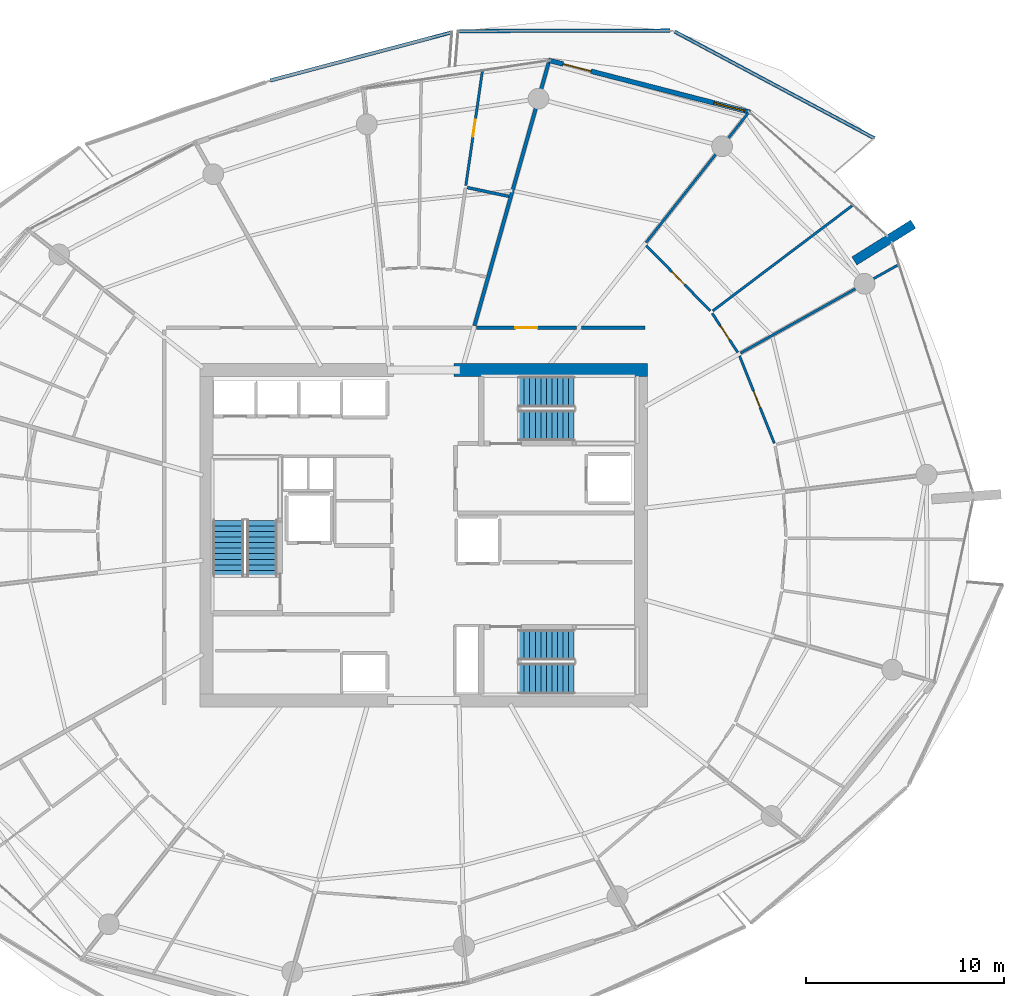
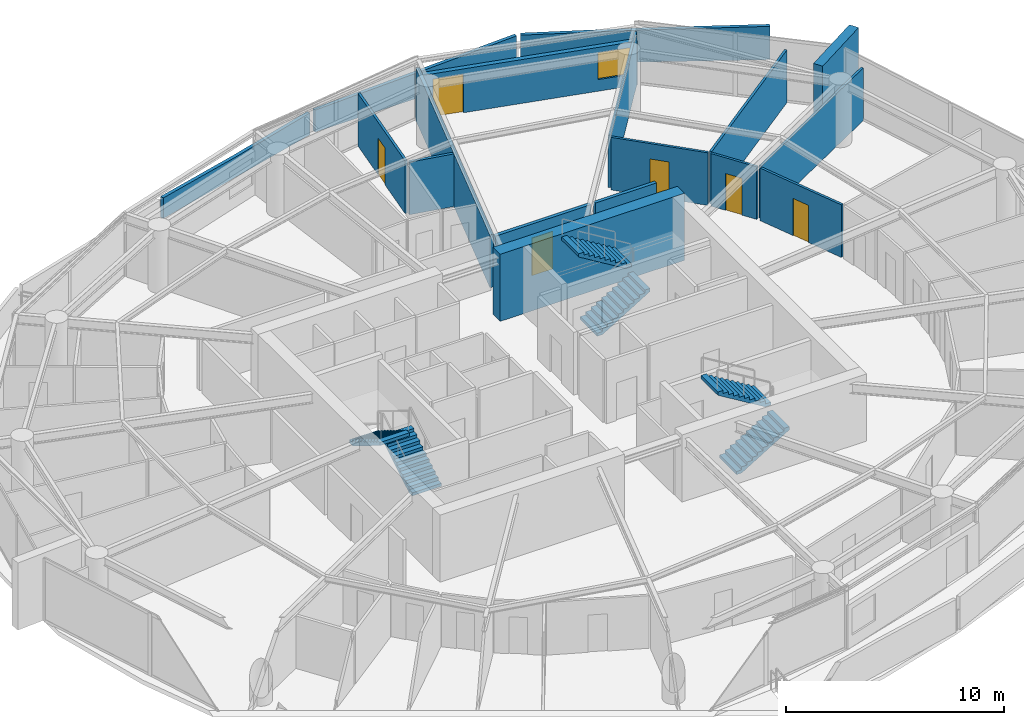
# One storey, part 14 of 19: 17 walls, 6 doors, 6 stair flights, 1 window, 7 openings, 3 elements without a shape of their own.
"""IFC4 building model written with IfcOpenShell, lengths in metres."""

from ifc_helpers import new_model, si_unit, direction, frame, frame_2d, origin, place, context, subcontext, project, spatial, polyline, rectangle, outline, extrude, material, layer, layer_set, type_object, element, fill, aggregate, save


model = new_model("IFC4")

# Units and contexts
model_context = context("Model", 3, precision=1e-05, world=origin(), true_north=direction((0.0, 1.0)))
body_context = subcontext(model_context, "Body", "Model", "MODEL_VIEW")
ifc_project = project(units=[si_unit("LENGTHUNIT", "METRE"), si_unit("AREAUNIT", "SQUARE_METRE"), si_unit("VOLUMEUNIT", "CUBIC_METRE"), si_unit("PLANEANGLEUNIT", "RADIAN"), si_unit("MASSUNIT", "GRAM", prefix="KILO")], contexts=[model_context])

# Site, building, storey
site_placement = place(None, origin())
site = spatial("IfcSite", under=ifc_project, at=site_placement, CompositionType="ELEMENT")
building_placement = place(site_placement, origin())
building = spatial("IfcBuilding", under=site, at=building_placement, Name="Kazma Halo Residences", CompositionType="ELEMENT")
storey_placement = place(building_placement, frame((0.0, 0.0, 199.050048828125)))
storey = spatial("IfcBuildingStorey", under=building, at=storey_placement, Name="L50", CompositionType="ELEMENT", Elevation=199.050048828125)

# Walls
ifc_material_1 = material(Name="White Concrete C50/60 Balustrade", Category="concrete")
ifc_layer_1 = layer(ifc_material_1, 0.179931640625)
ifc_layer_set_1 = layer_set([ifc_layer_1], Name="White Concrete C50/60 Balustrade")
wall_type_1 = type_object("IfcWallType", Name="WL-BAL-WAVE-180", PredefinedType="PARAPET", material=ifc_layer_set_1)
wall_1_placement = place(storey_placement, frame((71.126220703125, 61.997314453125, 0.0), z_axis=(0.0, 0.0, 1.0), x_axis=(-0.882077945567, 0.471103489632, 0.0)))
element("IfcWall", 1, at=wall_1_placement, inside=storey, type_object=wall_type_1, Name="L50 white wave balustrade wall NE.1", PredefinedType="PARAPET", context=body_context, shape_type="SweptSolid", body=[
    extrude(outline(polyline([(0.0, 0.0), (11.409423828125, 0.0), (11.409423828125, 1.6318359375), (5.70458984375, 1.7978515625), (0.0, 1.85986328125), (0.0, 0.0)])), frame((0.0, 0.08984375, 0.0), z_axis=(0.0, -1.0, 0.0), x_axis=(1.0, 0.0, 0.0)), (0.0, 0.0, 1.0), 0.179931640625),
])
wall_2_placement = place(storey_placement, frame((60.83642578125, 67.428466796875, 0.0), z_axis=(0.0, 0.0, 1.0), x_axis=(-0.999995918579, -0.002857065892, 0.0)))
element("IfcWall", 2, at=wall_2_placement, inside=storey, type_object=wall_type_1, Name="L50 white wave balustrade wall NE.2", PredefinedType="PARAPET", context=body_context, shape_type="SweptSolid", body=[
    extrude(outline(polyline([(0.0, 0.0), (10.681396484375, 0.0), (10.681396484375, 1.23291015625), (5.3408203125, 1.41796875), (0.0, 1.6318359375), (0.0, 0.0)])), frame((0.0, 0.08984375, 0.0), z_axis=(0.0, -1.0, 0.0), x_axis=(1.0, 0.0, 0.0)), (0.0, 0.0, 1.0), 0.179931640625),
])
wall_3_placement = place(storey_placement, frame((49.83837890625, 67.337890625, 0.0), z_axis=(0.0, 0.0, 1.0), x_axis=(-0.96653117448, -0.256549193642, 0.0)))
element("IfcWall", 3, at=wall_3_placement, inside=storey, type_object=wall_type_1, Name="L50 white wave balustrade wall NNW.1", PredefinedType="PARAPET", context=body_context, shape_type="SweptSolid", body=[
    extrude(outline(polyline([(0.0, 0.0), (9.47265625, 0.0), (9.47265625, 1.14794921875), (4.736328125, 1.126953125), (0.0, 1.223876953125), (0.0, 0.0)])), frame((0.0, 0.08984375, 0.0), z_axis=(0.0, -1.0, 0.0), x_axis=(1.0, 0.0, 0.0)), (0.0, 0.0, 1.0), 0.179931640625),
])
ifc_material_2 = material(Name="Pale Concrete C60/75", Category="concrete")
ifc_layer_2 = layer(ifc_material_2, 0.47998046875)
ifc_layer_set_2 = layer_set([ifc_layer_2], Name="Pale Concrete C60/75")
wall_type_2 = type_object("IfcWallType", Name="WL-BLADE-480", PredefinedType="SOLIDWALL", material=ifc_layer_set_2)
wall_4_placement = place(storey_placement, frame((70.11376953125, 55.818115234375, 0.0), z_axis=(0.0, 0.0, 1.0), x_axis=(0.848033572426, 0.529942506352, 0.0)))
element("IfcWall", 4, at=wall_4_placement, inside=storey, type_object=wall_type_2, Name="L50 pale concrete structural blade fin wall BW-01", PredefinedType="SOLIDWALL", context=body_context, shape_type="SweptSolid", body=[
    extrude(rectangle(XDim=3.5, YDim=0.47998046875, at=frame_2d((1.75, 0.0))), origin(), (0.0, 0.0, 1.0), 3.75),
])
ifc_material_3 = material(Name="Concrete C60/75", Category="concrete")
ifc_layer_3 = layer(ifc_material_3, 0.64990234375)
ifc_layer_set_3 = layer_set([ifc_layer_3], Name="Concrete C60/75")
wall_type_3 = type_object("IfcWallType", Name="WL-CORE-650", PredefinedType="SHEAR", material=ifc_layer_set_3)
wall_5_placement = place(storey_placement, frame((49.949951171875, 50.324951171875, 0.0), z_axis=(0.0, 0.0, 1.0), x_axis=(1.0, 0.0, 0.0)))
element("IfcWall", 5, at=wall_5_placement, inside=storey, type_object=wall_type_3, Name="L50 central core shear wall NE", PredefinedType="SHEAR", context=body_context, shape_type="SweptSolid", body=[
    extrude(rectangle(XDim=9.75, YDim=0.64990234375, at=frame_2d((4.875, 0.0))), origin(), (0.0, 0.0, 1.0), 3.75),
])
ifc_material_4 = material(Name="Acoustic Twin-Stud Gypsum")
ifc_layer_4 = layer(ifc_material_4, 0.179931640625)
ifc_layer_set_4 = layer_set([ifc_layer_4], Name="Acoustic Twin-Stud Gypsum")
wall_type_4 = type_object("IfcWallType", Name="WL-DEM-180", PredefinedType="PARTITIONING", material=ifc_layer_set_4)
wall_6_placement = place(storey_placement, frame((50.97705078125, 52.555908203125, 0.0), z_axis=(0.0, 0.0, 1.0), x_axis=(0.271443307373, 0.962454430548, 0.0)))
element("IfcWall", 6, at=wall_6_placement, inside=storey, type_object=wall_type_4, Name="L50 apartment demising radial wall 02", PredefinedType="PARTITIONING", context=body_context, shape_type="SweptSolid", body=[
    extrude(rectangle(XDim=13.75927734375, YDim=0.179931640625, at=frame_2d((6.879638671875, 0.0))), origin(), (0.0, 0.0, 1.0), 2.93994140625),
])

# Wall, opening, door
wall_7_placement = place(storey_placement, frame((56.1181640625, 52.449951171875, 0.0), z_axis=(0.0, 0.0, 1.0), x_axis=(-1.0, 0.0, 0.0)))
wall_7 = element("IfcWall", 7, at=wall_7_placement, inside=storey, type_object=wall_type_4, Name="L50 Apartment 4 entrance corridor wall", PredefinedType="PARTITIONING", context=body_context, shape_type="SweptSolid", body=[
    extrude(rectangle(XDim=5.051025390625, YDim=0.179931640625, at=frame_2d((2.525390625, 0.0))), origin(), (0.0, 0.0, 1.0), 2.93994140625),
])
opening_1_placement = place(wall_7_placement, frame((1.975341796875, 0.0, 0.0)))
opening_1 = element("IfcOpeningElement", 8, at=opening_1_placement, cuts=wall_7, Name="Opening DA-1100", PredefinedType="OPENING", context=body_context, shape_type="SweptSolid", body=[
    extrude(rectangle(XDim=1.10009765625, YDim=2.10009765625, at=frame_2d((0.550048828125, 1.050048828125))), frame((0.0, 0.099853515625, 0.0), z_axis=(0.0, -1.0, 0.0), x_axis=(1.0, 0.0, 0.0)), (0.0, 0.0, 1.0), 0.199951171875),
])
ifc_material_5 = material(Name="Acoustic Walnut Fire Leaf")
door_type_1 = type_object("IfcDoorType", Name="DR-FD60-1100", OperationType="NOTDEFINED", PredefinedType="DOOR", material=ifc_material_5)
door_1_placement = place(opening_1_placement, origin())
door_1 = element("IfcDoor", 9, at=door_1_placement, inside=storey, type_object=door_type_1, Name="L50 Apartment 4 entrance fire door", OperationType="SINGLE_SWING_LEFT", OverallHeight=2.10009765625, OverallWidth=1.10009765625, PredefinedType="DOOR", context=body_context, shape_type="SweptSolid", body=[
    extrude(rectangle(XDim=1.10009765625, YDim=2.10009765625, at=frame_2d((0.550048828125, 1.050048828125))), frame((0.0, 0.02490234375, 0.0), z_axis=(0.0, -1.0, 0.0), x_axis=(1.0, 0.0, 0.0)), (0.0, 0.0, 1.0), 0.050048828125),
])
fill(opening_1, door_1)

# Wall
wall_8_placement = place(storey_placement, frame((59.580078125, 52.449951171875, 0.0), z_axis=(0.0, 0.0, 1.0), x_axis=(-1.0, 0.0, 0.0)))
element("IfcWall", 10, at=wall_8_placement, inside=storey, type_object=wall_type_4, Name="L50 Apartment 4 inner wall 0", PredefinedType="PARTITIONING", context=body_context, shape_type="SweptSolid", body=[
    extrude(rectangle(XDim=3.221923828125, YDim=0.179931640625, at=frame_2d((1.61083984375, 0.0))), origin(), (0.0, 0.0, 1.0), 2.93994140625),
])

# Wall, openings, door, window
ifc_material_6 = material(Name="Insulated Pale-Metal Composite Wall")
ifc_layer_5 = layer(ifc_material_6, 0.239990234375)
ifc_layer_set_5 = layer_set([ifc_layer_5], Name="Insulated Pale-Metal Composite Wall")
wall_type_5 = type_object("IfcWallType", Name="WL-EXT-HOST-240", PredefinedType="SOLIDWALL", material=ifc_layer_set_5)
wall_9_placement = place(storey_placement, frame((64.860107421875, 63.31298828125, 0.0), z_axis=(0.0, 0.0, 1.0), x_axis=(-0.968374028006, 0.249502989727, 0.0)))
wall_9 = element("IfcWall", 11, at=wall_9_placement, inside=storey, type_object=wall_type_5, Name="L50 exterior terrace-access wall B02", PredefinedType="SOLIDWALL", context=body_context, shape_type="SweptSolid", body=[
    extrude(rectangle(XDim=10.494384765625, YDim=0.239990234375, at=frame_2d((5.2470703125, 0.0))), origin(), (0.0, 0.0, 1.0), 2.449951171875),
])
opening_2_placement = place(wall_9_placement, frame((8.2744140625, 0.0, 0.0)))
opening_2 = element("IfcOpeningElement", 12, at=opening_2_placement, cuts=wall_9, Name="Opening DTR-1600", PredefinedType="OPENING", context=body_context, shape_type="SweptSolid", body=[
    extrude(rectangle(XDim=1.449951171875, YDim=2.14990234375, at=frame_2d((0.72509765625, 1.074951171875))), frame((0.0, 0.1298828125, 0.0), z_axis=(0.0, -1.0, 0.0), x_axis=(1.0, 0.0, 0.0)), (0.0, 0.0, 1.0), 0.260009765625),
])
opening_3_placement = place(wall_9_placement, frame((0.280029296875, 0.0, 0.64990234375)))
opening_3 = element("IfcOpeningElement", 13, at=opening_3_placement, cuts=wall_9, Name="Opening W-1800", PredefinedType="OPENING", context=body_context, shape_type="SweptSolid", body=[
    extrude(rectangle(XDim=1.60009765625, YDim=1.5, at=frame_2d((0.800048828125, 0.75))), frame((0.0, 0.1298828125, 0.0), z_axis=(0.0, -1.0, 0.0), x_axis=(1.0, 0.0, 0.0)), (0.0, 0.0, 1.0), 0.260009765625),
])
ifc_material_7 = material(Name="Aluminium AW-6063 T6 Double-Glazed Terrace Door", Category="aluminium")
door_type_2 = type_object("IfcDoorType", Name="DR-EXT-TERR-1600", OperationType="NOTDEFINED", PredefinedType="DOOR", material=ifc_material_7)
door_2_placement = place(opening_2_placement, origin())
door_2 = element("IfcDoor", 14, at=door_2_placement, inside=storey, type_object=door_type_2, Name="L50 B02 balcony terrace door", OperationType="DOUBLE_DOOR_SLIDING", OverallHeight=2.14990234375, OverallWidth=1.449951171875, PredefinedType="DOOR", context=body_context, shape_type="SweptSolid", body=[
    extrude(rectangle(XDim=1.449951171875, YDim=2.14990234375, at=frame_2d((0.72509765625, 1.074951171875))), frame((0.0, 0.02490234375, 0.0), z_axis=(0.0, -1.0, 0.0), x_axis=(1.0, 0.0, 0.0)), (0.0, 0.0, 1.0), 0.050048828125),
])
fill(opening_2, door_2)
ifc_material_8 = material(Name="Clear Triple-Silver Low-E Glass in Aluminium AW-6063 T6 Frame", Category="aluminium")
window_type = type_object("IfcWindowType", Name="WIN-RES-1800", PartitioningType="DOUBLE_PANEL_VERTICAL", PredefinedType="WINDOW", material=ifc_material_8)
window_placement = place(opening_3_placement, origin())
window = element("IfcWindow", 15, at=window_placement, inside=storey, type_object=window_type, Name="L50 B02 apartment window", OverallHeight=1.5, OverallWidth=1.60009765625, PartitioningType="SINGLE_PANEL", PredefinedType="WINDOW", context=body_context, shape_type="SweptSolid", body=[
    extrude(rectangle(XDim=1.60009765625, YDim=1.5, at=frame_2d((0.800048828125, 0.75))), frame((0.0, 0.030029296875, 0.0), z_axis=(0.0, -1.0, 0.0), x_axis=(1.0, 0.0, 0.0)), (0.0, 0.0, 1.0), 0.06005859375),
])
fill(opening_3, window)

# Wall, opening, door
ifc_material_9 = material(Name="Gypsum Plasterboard Partition")
ifc_layer_6 = layer(ifc_material_9, 0.125)
ifc_layer_set_6 = layer_set([ifc_layer_6], Name="Gypsum Plasterboard Partition")
wall_type_6 = type_object("IfcWallType", Name="WL-PART-125", PredefinedType="PARTITIONING", material=ifc_layer_set_6)
wall_10_placement = place(storey_placement, frame((50.543701171875, 59.62451171875, 0.0), z_axis=(0.0, 0.0, 1.0), x_axis=(0.142847588942, 0.989744697553, 0.0)))
wall_10 = element("IfcWall", 16, at=wall_10_placement, inside=storey, type_object=wall_type_6, Name="L50 Apartment 1 Household Store Room partition wall", PredefinedType="PARTITIONING", context=body_context, shape_type="SweptSolid", body=[
    extrude(rectangle(XDim=5.822998046875, YDim=0.125, at=frame_2d((2.91162109375, 0.0))), origin(), (0.0, 0.0, 1.0), 2.93994140625),
])
opening_4_placement = place(wall_10_placement, frame((2.486572265625, 0.0, 0.0)))
opening_4 = element("IfcOpeningElement", 17, at=opening_4_placement, cuts=wall_10, Name="Opening DB-900", PredefinedType="OPENING", context=body_context, shape_type="SweptSolid", body=[
    extrude(rectangle(XDim=0.85009765625, YDim=2.06005859375, at=frame_2d((0.425048828125, 1.030029296875))), frame((0.0, 0.072509765625, 0.0), z_axis=(0.0, -1.0, 0.0), x_axis=(1.0, 0.0, 0.0)), (0.0, 0.0, 1.0), 0.14501953125),
])
ifc_material_10 = material(Name="Moisture-Sealed Timber Leaf", Category="wood")
door_type_3 = type_object("IfcDoorType", Name="DR-BTH-900", OperationType="NOTDEFINED", PredefinedType="DOOR", material=ifc_material_10)
door_3_placement = place(opening_4_placement, origin())
door_3 = element("IfcDoor", 18, at=door_3_placement, inside=storey, type_object=door_type_3, Name="L50 Apartment 1 Household Store Room door", OperationType="SINGLE_SWING_RIGHT", OverallHeight=2.06005859375, OverallWidth=0.85009765625, PredefinedType="DOOR", context=body_context, shape_type="SweptSolid", body=[
    extrude(rectangle(XDim=0.85009765625, YDim=2.06005859375, at=frame_2d((0.425048828125, 1.030029296875))), frame((0.0, 0.02490234375, 0.0), z_axis=(0.0, -1.0, 0.0), x_axis=(1.0, 0.0, 0.0)), (0.0, 0.0, 1.0), 0.050048828125),
])
fill(opening_4, door_3)

wall_11_placement = place(storey_placement, frame((66.082275390625, 46.6337890625, 0.0), z_axis=(0.0, 0.0, 1.0), x_axis=(-0.369567399645, 0.929203926552, 0.0)))
wall_11 = element("IfcWall", 19, at=wall_11_placement, inside=storey, type_object=wall_type_6, Name="L50 Apartment 4 Gulf Formal Dining Room hall wall", PredefinedType="PARTITIONING", context=body_context, shape_type="SweptSolid", body=[
    extrude(rectangle(XDim=4.734619140625, YDim=0.125, at=frame_2d((2.3671875, 0.0))), origin(), (0.0, 0.0, 1.0), 2.93994140625),
])
opening_5_placement = place(wall_11_placement, frame((1.917236328125, 0.0, 0.0)))
opening_5 = element("IfcOpeningElement", 20, at=opening_5_placement, cuts=wall_11, Name="Opening DI-950", PredefinedType="OPENING", context=body_context, shape_type="SweptSolid", body=[
    extrude(rectangle(XDim=0.89990234375, YDim=2.080078125, at=frame_2d((0.449951171875, 1.0400390625))), frame((0.0, 0.072509765625, 0.0), z_axis=(0.0, -1.0, 0.0), x_axis=(1.0, 0.0, 0.0)), (0.0, 0.0, 1.0), 0.14501953125),
])
ifc_material_11 = material(Name="Timber Veneer Flush Leaf", Category="wood")
door_type_4 = type_object("IfcDoorType", Name="DR-INT-950", OperationType="NOTDEFINED", PredefinedType="DOOR", material=ifc_material_11)
door_4_placement = place(opening_5_placement, origin())
door_4 = element("IfcDoor", 21, at=door_4_placement, inside=storey, type_object=door_type_4, Name="L50 Apartment 4 Gulf Formal Dining Room door", OperationType="SINGLE_SWING_LEFT", OverallHeight=2.080078125, OverallWidth=0.89990234375, PredefinedType="DOOR", context=body_context, shape_type="SweptSolid", body=[
    extrude(rectangle(XDim=0.89990234375, YDim=2.080078125, at=frame_2d((0.449951171875, 1.0400390625))), frame((0.0, 0.02490234375, 0.0), z_axis=(0.0, -1.0, 0.0), x_axis=(1.0, 0.0, 0.0)), (0.0, 0.0, 1.0), 0.050048828125),
])
fill(opening_5, door_4)

# Walls
wall_12_placement = place(storey_placement, frame((64.3828125, 51.1748046875, 0.0), z_axis=(0.0, 0.0, 1.0), x_axis=(0.872496427588, 0.488620490611, 0.0)))
element("IfcWall", 22, at=wall_12_placement, inside=storey, type_object=wall_type_6, Name="L50 Apartment 4 radial partition 0", PredefinedType="PARTITIONING", context=body_context, shape_type="SweptSolid", body=[
    extrude(rectangle(XDim=9.1181640625, YDim=0.125, at=frame_2d((4.55908203125, 0.0))), origin(), (0.0, 0.0, 1.0), 2.93994140625),
])
wall_13_placement = place(storey_placement, frame((59.624755859375, 56.745849609375, 0.0), z_axis=(0.0, 0.0, 1.0), x_axis=(0.619083134383, 0.785325456561, 0.0)))
element("IfcWall", 23, at=wall_13_placement, inside=storey, type_object=wall_type_6, Name="L50 Apartment 4 living radial partition 0", PredefinedType="PARTITIONING", context=body_context, shape_type="SweptSolid", body=[
    extrude(rectangle(XDim=8.353271484375, YDim=0.125, at=frame_2d((4.1767578125, 0.0))), origin(), (0.0, 0.0, 1.0), 2.93994140625),
])
wall_14_placement = place(storey_placement, frame((62.98095703125, 53.303466796875, 0.0), z_axis=(0.0, 0.0, 1.0), x_axis=(0.798266473747, 0.602304438711, 0.0)))
element("IfcWall", 24, at=wall_14_placement, inside=storey, type_object=wall_type_6, Name="L50 Apartment 4 mid-bay wall 0", PredefinedType="PARTITIONING", context=body_context, shape_type="SweptSolid", body=[
    extrude(rectangle(XDim=8.822021484375, YDim=0.125, at=frame_2d((4.4111328125, 0.0))), origin(), (0.0, 0.0, 1.0), 2.93994140625),
])

# Wall, opening, door
wall_15_placement = place(storey_placement, frame((64.240966796875, 51.209716796875, 0.0), z_axis=(0.0, 0.0, 1.0), x_axis=(-0.546782970229, 0.837274377649, 0.0)))
wall_15 = element("IfcWall", 25, at=wall_15_placement, inside=storey, type_object=wall_type_6, Name="L50 Apartment 4 Primary Dressing Wardrobe hall wall", PredefinedType="PARTITIONING", context=body_context, shape_type="SweptSolid", body=[
    extrude(rectangle(XDim=2.355712890625, YDim=0.125, at=frame_2d((1.177734375, 0.0))), origin(), (0.0, 0.0, 1.0), 2.93994140625),
])
opening_6_placement = place(wall_15_placement, frame((0.7529296875, 0.0, 0.0)))
opening_6 = element("IfcOpeningElement", 26, at=opening_6_placement, cuts=wall_15, Name="Opening DB-900", PredefinedType="OPENING", context=body_context, shape_type="SweptSolid", body=[
    extrude(rectangle(XDim=0.85009765625, YDim=2.06005859375, at=frame_2d((0.425048828125, 1.030029296875))), frame((0.0, 0.072509765625, 0.0), z_axis=(0.0, -1.0, 0.0), x_axis=(1.0, 0.0, 0.0)), (0.0, 0.0, 1.0), 0.14501953125),
])
door_5_placement = place(opening_6_placement, origin())
door_5 = element("IfcDoor", 27, at=door_5_placement, inside=storey, type_object=door_type_3, Name="L50 Apartment 4 Primary Dressing Wardrobe door", OperationType="SINGLE_SWING_LEFT", OverallHeight=2.06005859375, OverallWidth=0.85009765625, PredefinedType="DOOR", context=body_context, shape_type="SweptSolid", body=[
    extrude(rectangle(XDim=0.85009765625, YDim=2.06005859375, at=frame_2d((0.425048828125, 1.030029296875))), frame((0.0, 0.02490234375, 0.0), z_axis=(0.0, -1.0, 0.0), x_axis=(1.0, 0.0, 0.0)), (0.0, 0.0, 1.0), 0.050048828125),
])
fill(opening_6, door_5)

wall_16_placement = place(storey_placement, frame((62.853271484375, 53.306396484375, 0.0), z_axis=(0.0, 0.0, 1.0), x_axis=(-0.699562743434, 0.714571177699, 0.0)))
wall_16 = element("IfcWall", 28, at=wall_16_placement, inside=storey, type_object=wall_type_6, Name="L50 Apartment 4 Secondary Master Bedroom hall wall", PredefinedType="PARTITIONING", context=body_context, shape_type="SweptSolid", body=[
    extrude(rectangle(XDim=4.603515625, YDim=0.125, at=frame_2d((2.3017578125, 0.0))), origin(), (0.0, 0.0, 1.0), 2.93994140625),
])
opening_7_placement = place(wall_16_placement, frame((1.851806640625, 0.0, 0.0)))
opening_7 = element("IfcOpeningElement", 29, at=opening_7_placement, cuts=wall_16, Name="Opening DI-950", PredefinedType="OPENING", context=body_context, shape_type="SweptSolid", body=[
    extrude(rectangle(XDim=0.89990234375, YDim=2.080078125, at=frame_2d((0.449951171875, 1.0400390625))), frame((0.0, 0.072509765625, 0.0), z_axis=(0.0, -1.0, 0.0), x_axis=(1.0, 0.0, 0.0)), (0.0, 0.0, 1.0), 0.14501953125),
])
door_6_placement = place(opening_7_placement, origin())
door_6 = element("IfcDoor", 30, at=door_6_placement, inside=storey, type_object=door_type_4, Name="L50 Apartment 4 Secondary Master Bedroom door", OperationType="SINGLE_SWING_RIGHT", OverallHeight=2.080078125, OverallWidth=0.89990234375, PredefinedType="DOOR", context=body_context, shape_type="SweptSolid", body=[
    extrude(rectangle(XDim=0.89990234375, YDim=2.080078125, at=frame_2d((0.449951171875, 1.0400390625))), frame((0.0, 0.02490234375, 0.0), z_axis=(0.0, -1.0, 0.0), x_axis=(1.0, 0.0, 0.0)), (0.0, 0.0, 1.0), 0.050048828125),
])
fill(opening_7, door_6)

# Wall
ifc_material_12 = material(Name="Moisture-Resistant Gypsum")
ifc_layer_7 = layer(ifc_material_12, 0.14990234375)
ifc_layer_set_7 = layer_set([ifc_layer_7], Name="Moisture-Resistant Gypsum")
wall_type_7 = type_object("IfcWallType", Name="WL-WET-150", PredefinedType="PARTITIONING", material=ifc_layer_set_7)
wall_17_placement = place(storey_placement, frame((52.711181640625, 59.072509765625, 0.0), z_axis=(0.0, 0.0, 1.0), x_axis=(-0.978208139302, 0.207626675075, 0.0)))
element("IfcWall", 31, at=wall_17_placement, inside=storey, type_object=wall_type_7, Name="L50 Apartment 1 Guest Bathroom back wall", PredefinedType="PARTITIONING", context=body_context, shape_type="SweptSolid", body=[
    extrude(rectangle(XDim=2.138916015625, YDim=0.14990234375, at=frame_2d((1.0693359375, 0.0))), origin(), (0.0, 0.0, 1.0), 2.93994140625),
])

# Stair, stair flights
ifc_material_13 = material(Name="Concrete C50/60", Category="concrete")
stair_type = type_object("IfcStairType", Name="STR-RES1", PredefinedType="HALF_TURN_STAIR", material=ifc_material_13)
stair_1_placement = place(storey_placement, origin())
stair_1 = element("IfcStair", 32, at=stair_1_placement, inside=storey, type_object=stair_type, Name="L50 Core exit stair ST-01", PredefinedType="HALF_TURN_STAIR")
stair_flight_type = type_object("IfcStairFlightType", Name="STR-RES1-FLT", PredefinedType="STRAIGHT", material=ifc_material_13)
stair_flight_1_placement = place(storey_placement, frame((40.27490234375, 39.949951171875, 0.0), z_axis=(0.0, 0.0, 1.0), x_axis=(0.0, 1.0, 0.0)))
stair_flight_1 = element("IfcStairFlight", 33, at=stair_flight_1_placement, type_object=stair_flight_type, Name="ST-01 flight 1", NumberOfRisers=11, NumberOfTreads=10, PredefinedType="STRAIGHT", RiserHeight=0.170454545, TreadLength=0.28, context=body_context, shape_type="SweptSolid", body=[
    extrude(outline(polyline([(0.0, 0.0), (0.0, 0.17041015625), (0.280029296875, 0.17041015625), (0.280029296875, 0.3408203125), (0.56005859375, 0.3408203125), (0.56005859375, 0.511474609375), (0.840087890625, 0.511474609375), (0.840087890625, 0.681884765625), (1.1201171875, 0.681884765625), (1.1201171875, 0.852294921875), (1.39990234375, 0.852294921875), (1.39990234375, 1.022705078125), (1.679931640625, 1.022705078125), (1.679931640625, 1.193115234375), (1.9599609375, 1.193115234375), (1.9599609375, 1.363525390625), (2.239990234375, 1.363525390625), (2.239990234375, 1.5341796875), (2.52001953125, 1.5341796875), (2.52001953125, 1.70458984375), (2.800048828125, 1.70458984375), (2.800048828125, 1.875), (2.800048828125, 1.529052734375), (0.288330078125, 0.0), (0.0, 0.0)])), frame((0.0, 0.77490234375, 0.0), z_axis=(0.0, -1.0, 0.0), x_axis=(1.0, 0.0, 0.0)), (0.0, 0.0, 1.0), 1.550048828125),
])
stair_flight_2_placement = place(storey_placement, frame((38.574951171875, 42.75, 1.875), z_axis=(0.0, 0.0, 1.0), x_axis=(0.0, -1.0, 0.0)))
stair_flight_2 = element("IfcStairFlight", 34, at=stair_flight_2_placement, type_object=stair_flight_type, Name="ST-01 flight 2", NumberOfRisers=11, NumberOfTreads=10, PredefinedType="STRAIGHT", RiserHeight=0.170454545, TreadLength=0.28, context=body_context, shape_type="SweptSolid", body=[
    extrude(outline(polyline([(0.0, 0.0), (0.0, 0.17041015625), (0.280029296875, 0.17041015625), (0.280029296875, 0.3408203125), (0.56005859375, 0.3408203125), (0.56005859375, 0.511474609375), (0.840087890625, 0.511474609375), (0.840087890625, 0.681884765625), (1.1201171875, 0.681884765625), (1.1201171875, 0.852294921875), (1.39990234375, 0.852294921875), (1.39990234375, 1.022705078125), (1.679931640625, 1.022705078125), (1.679931640625, 1.193115234375), (1.9599609375, 1.193115234375), (1.9599609375, 1.363525390625), (2.239990234375, 1.363525390625), (2.239990234375, 1.5341796875), (2.52001953125, 1.5341796875), (2.52001953125, 1.70458984375), (2.800048828125, 1.70458984375), (2.800048828125, 1.875), (2.800048828125, 1.529052734375), (0.288330078125, 0.0), (0.0, 0.0)])), frame((0.0, 0.77490234375, 0.0), z_axis=(0.0, -1.0, 0.0), x_axis=(1.0, 0.0, 0.0)), (0.0, 0.0, 1.0), 1.550048828125),
])
aggregate(stair_1, [stair_flight_1, stair_flight_2])

stair_2_placement = place(storey_placement, origin())
stair_2 = element("IfcStair", 35, at=stair_2_placement, inside=storey, type_object=stair_type, Name="L50 Core exit stair ST-02", PredefinedType="HALF_TURN_STAIR")
stair_flight_3_placement = place(storey_placement, frame((53.199951171875, 47.52490234375, 0.0), z_axis=(0.0, 0.0, 1.0), x_axis=(1.0, 0.0, 0.0)))
stair_flight_3 = element("IfcStairFlight", 36, at=stair_flight_3_placement, type_object=stair_flight_type, Name="ST-02 flight 1", NumberOfRisers=11, NumberOfTreads=10, PredefinedType="STRAIGHT", RiserHeight=0.170454545, TreadLength=0.28, context=body_context, shape_type="SweptSolid", body=[
    extrude(outline(polyline([(0.0, 0.0), (0.0, 0.17041015625), (0.280029296875, 0.17041015625), (0.280029296875, 0.3408203125), (0.56005859375, 0.3408203125), (0.56005859375, 0.511474609375), (0.840087890625, 0.511474609375), (0.840087890625, 0.681884765625), (1.1201171875, 0.681884765625), (1.1201171875, 0.852294921875), (1.39990234375, 0.852294921875), (1.39990234375, 1.022705078125), (1.679931640625, 1.022705078125), (1.679931640625, 1.193115234375), (1.9599609375, 1.193115234375), (1.9599609375, 1.363525390625), (2.239990234375, 1.363525390625), (2.239990234375, 1.5341796875), (2.52001953125, 1.5341796875), (2.52001953125, 1.70458984375), (2.800048828125, 1.70458984375), (2.800048828125, 1.875), (2.800048828125, 1.529052734375), (0.288330078125, 0.0), (0.0, 0.0)])), frame((0.0, 0.77490234375, 0.0), z_axis=(0.0, -1.0, 0.0), x_axis=(1.0, 0.0, 0.0)), (0.0, 0.0, 1.0), 1.550048828125),
])
stair_flight_4_placement = place(storey_placement, frame((56.0, 49.22509765625, 1.875), z_axis=(0.0, 0.0, 1.0), x_axis=(-1.0, 0.0, 0.0)))
stair_flight_4 = element("IfcStairFlight", 37, at=stair_flight_4_placement, type_object=stair_flight_type, Name="ST-02 flight 2", NumberOfRisers=11, NumberOfTreads=10, PredefinedType="STRAIGHT", RiserHeight=0.170454545, TreadLength=0.28, context=body_context, shape_type="SweptSolid", body=[
    extrude(outline(polyline([(0.0, 0.0), (0.0, 0.17041015625), (0.280029296875, 0.17041015625), (0.280029296875, 0.3408203125), (0.56005859375, 0.3408203125), (0.56005859375, 0.511474609375), (0.840087890625, 0.511474609375), (0.840087890625, 0.681884765625), (1.1201171875, 0.681884765625), (1.1201171875, 0.852294921875), (1.39990234375, 0.852294921875), (1.39990234375, 1.022705078125), (1.679931640625, 1.022705078125), (1.679931640625, 1.193115234375), (1.9599609375, 1.193115234375), (1.9599609375, 1.363525390625), (2.239990234375, 1.363525390625), (2.239990234375, 1.5341796875), (2.52001953125, 1.5341796875), (2.52001953125, 1.70458984375), (2.800048828125, 1.70458984375), (2.800048828125, 1.875), (2.800048828125, 1.529052734375), (0.288330078125, 0.0), (0.0, 0.0)])), frame((0.0, 0.77490234375, 0.0), z_axis=(0.0, -1.0, 0.0), x_axis=(1.0, 0.0, 0.0)), (0.0, 0.0, 1.0), 1.550048828125),
])
aggregate(stair_2, [stair_flight_3, stair_flight_4])

stair_3_placement = place(storey_placement, origin())
stair_3 = element("IfcStair", 38, at=stair_3_placement, inside=storey, type_object=stair_type, Name="L50 Core exit stair ST-03", PredefinedType="HALF_TURN_STAIR")
stair_flight_5_placement = place(storey_placement, frame((53.199951171875, 34.77490234375, 0.0), z_axis=(0.0, 0.0, 1.0), x_axis=(1.0, 0.0, 0.0)))
stair_flight_5 = element("IfcStairFlight", 39, at=stair_flight_5_placement, type_object=stair_flight_type, Name="ST-03 flight 1", NumberOfRisers=11, NumberOfTreads=10, PredefinedType="STRAIGHT", RiserHeight=0.170454545, TreadLength=0.28, context=body_context, shape_type="SweptSolid", body=[
    extrude(outline(polyline([(0.0, 0.0), (0.0, 0.17041015625), (0.280029296875, 0.17041015625), (0.280029296875, 0.3408203125), (0.56005859375, 0.3408203125), (0.56005859375, 0.511474609375), (0.840087890625, 0.511474609375), (0.840087890625, 0.681884765625), (1.1201171875, 0.681884765625), (1.1201171875, 0.852294921875), (1.39990234375, 0.852294921875), (1.39990234375, 1.022705078125), (1.679931640625, 1.022705078125), (1.679931640625, 1.193115234375), (1.9599609375, 1.193115234375), (1.9599609375, 1.363525390625), (2.239990234375, 1.363525390625), (2.239990234375, 1.5341796875), (2.52001953125, 1.5341796875), (2.52001953125, 1.70458984375), (2.800048828125, 1.70458984375), (2.800048828125, 1.875), (2.800048828125, 1.529052734375), (0.288330078125, 0.0), (0.0, 0.0)])), frame((0.0, 0.77490234375, 0.0), z_axis=(0.0, -1.0, 0.0), x_axis=(1.0, 0.0, 0.0)), (0.0, 0.0, 1.0), 1.550048828125),
])
stair_flight_6_placement = place(storey_placement, frame((56.0, 36.47509765625, 1.875), z_axis=(0.0, 0.0, 1.0), x_axis=(-1.0, 0.0, 0.0)))
stair_flight_6 = element("IfcStairFlight", 40, at=stair_flight_6_placement, type_object=stair_flight_type, Name="ST-03 flight 2", NumberOfRisers=11, NumberOfTreads=10, PredefinedType="STRAIGHT", RiserHeight=0.170454545, TreadLength=0.28, context=body_context, shape_type="SweptSolid", body=[
    extrude(outline(polyline([(0.0, 0.0), (0.0, 0.17041015625), (0.280029296875, 0.17041015625), (0.280029296875, 0.3408203125), (0.56005859375, 0.3408203125), (0.56005859375, 0.511474609375), (0.840087890625, 0.511474609375), (0.840087890625, 0.681884765625), (1.1201171875, 0.681884765625), (1.1201171875, 0.852294921875), (1.39990234375, 0.852294921875), (1.39990234375, 1.022705078125), (1.679931640625, 1.022705078125), (1.679931640625, 1.193115234375), (1.9599609375, 1.193115234375), (1.9599609375, 1.363525390625), (2.239990234375, 1.363525390625), (2.239990234375, 1.5341796875), (2.52001953125, 1.5341796875), (2.52001953125, 1.70458984375), (2.800048828125, 1.70458984375), (2.800048828125, 1.875), (2.800048828125, 1.529052734375), (0.288330078125, 0.0), (0.0, 0.0)])), frame((0.0, 0.77490234375, 0.0), z_axis=(0.0, -1.0, 0.0), x_axis=(1.0, 0.0, 0.0)), (0.0, 0.0, 1.0), 1.550048828125),
])
aggregate(stair_3, [stair_flight_5, stair_flight_6])

save(model, "model.ifc")
